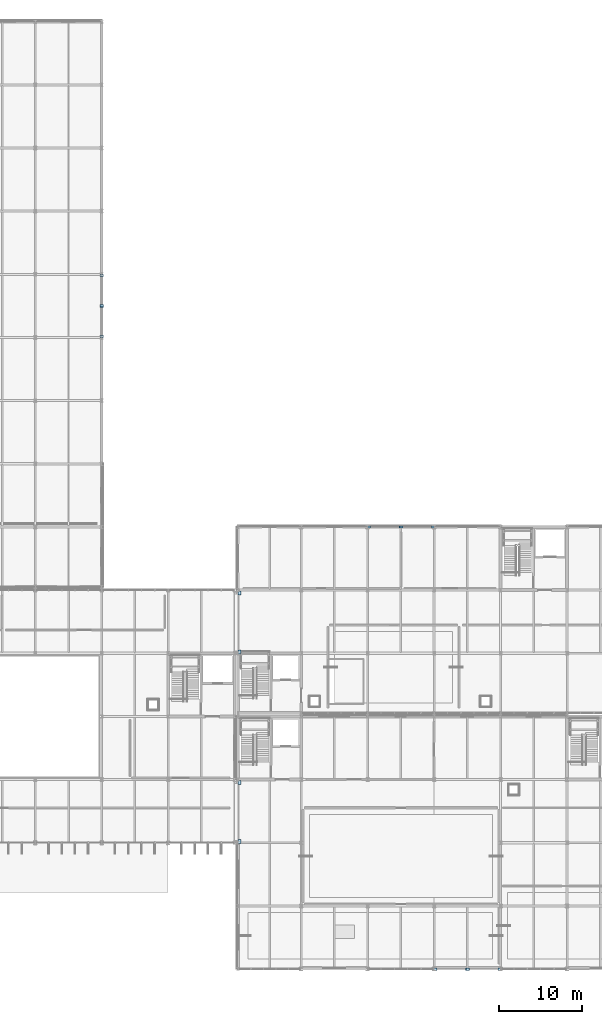
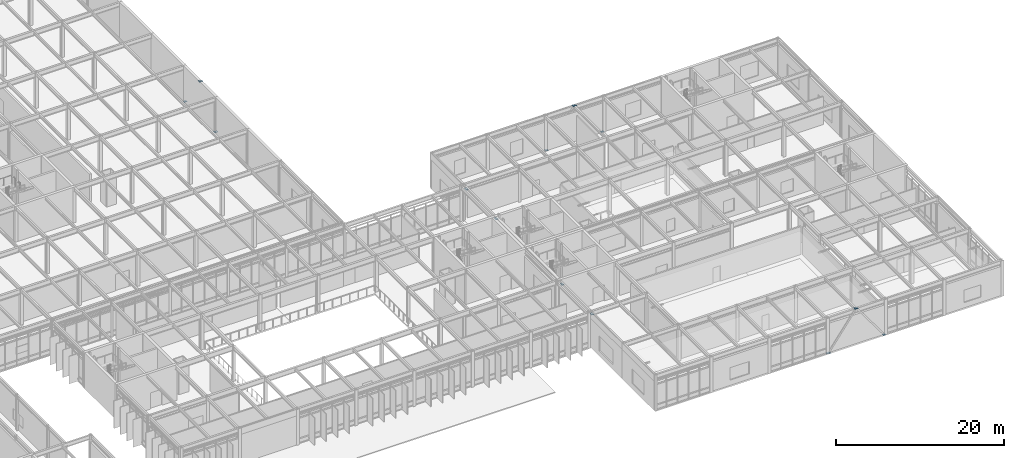
# One storey, part 69 of 94: 16 plates.
"""IFC4 building model written with IfcOpenShell, lengths in metres."""

from ifc_helpers import new_model, si_unit, direction, frame, origin, origin_2d, place, context, subcontext, project, spatial, rectangle, extrude, material, layer, layer_set, type_object, element, save


model = new_model("IFC4")

# Units and contexts
model_context = context("Model", 3, precision=1e-05, world=origin(), true_north=direction((0.0, 1.0)))
body_context = subcontext(model_context, "Body", "Model", "MODEL_VIEW")
ifc_project = project(units=[si_unit("LENGTHUNIT", "METRE"), si_unit("AREAUNIT", "SQUARE_METRE"), si_unit("VOLUMEUNIT", "CUBIC_METRE"), si_unit("PLANEANGLEUNIT", "RADIAN"), si_unit("MASSUNIT", "GRAM", prefix="KILO")], contexts=[model_context])

# Site, building, storey
site_placement = place(None, origin())
site = spatial("IfcSite", under=ifc_project, at=site_placement, CompositionType="ELEMENT")
building_placement = place(site_placement, origin())
building = spatial("IfcBuilding", under=site, at=building_placement, Name="Zulena Civic Courthouse", CompositionType="ELEMENT")
storey_placement = place(building_placement, frame((0.0, 0.0, 5.39990234375)))
storey = spatial("IfcBuildingStorey", under=building, at=storey_placement, Name="L01", CompositionType="ELEMENT", Elevation=5.39990234375)

# Plates
ifc_material = material(Name="Steel ASTM A572 Grade 50", Category="steel")
ifc_layer_1 = layer(ifc_material, 0.028076171875)
ifc_layer_set_1 = layer_set([ifc_layer_1], Name="Steel ASTM A572 Grade 50")
plate_type_1 = type_object("IfcPlateType", Name="BearingPlate_450x320x28", PredefinedType="SHEET", material=ifc_layer_set_1)
for number, where, z_axis, x_axis, name in (
    (1, (124.580078125, 15.35009765625, 4.6201171875), (0.0, 0.0, 1.0), (1.0, 0.0, 0.0), "plate:ptfe:BR-41:L02:15.35"),
    (2, (124.580078125, 22.449951171875, 4.6201171875), (0.0, 0.0, 1.0), (1.0, 0.0, 0.0), "plate:ptfe:BR-41:L02:22.45"),
    (3, (124.580078125, 38.14990234375, 4.6201171875), (0.0, 0.0, 1.0), (1.0, 0.0, 0.0), "plate:ptfe:BR-43:L02:38.15"),
    (4, (124.580078125, 45.25, 4.6201171875), (0.0, 0.0, 1.0), (1.0, 0.0, 0.0), "plate:ptfe:BR-43:L02:45.25"),
):
    element("IfcPlate", number, at=place(storey_placement, frame(where, z_axis=z_axis, x_axis=x_axis)), inside=storey, type_object=plate_type_1, Name=name, PredefinedType="SHEET", context=body_context, shape_type="SweptSolid", body=[
        extrude(rectangle(XDim=0.320068359375, YDim=0.449951171875, at=origin_2d()), origin(), (0.0, 0.0, 1.0), 0.028076171875),
    ])
ifc_layer_2 = layer(ifc_material, 0.02197265625)
ifc_layer_set_2 = layer_set([ifc_layer_2], Name="Steel ASTM A572 Grade 50")
plate_type_2 = type_object("IfcPlateType", Name="GussetPlate_380x280x22", PredefinedType="SHEET", material=ifc_layer_set_2)
for number, where, z_axis, x_axis, name in (
    (5, (148.14990234375, 0.0, -0.0009765625), (0.0, 0.0, 1.0), (1.0, 0.0, 0.0), "plate:br:V1:L01:2:0:0"),
    (6, (151.949951171875, 0.0, 5.149169921875), (0.0, 0.0, 1.0), (1.0, 0.0, 0.0), "plate:br:V1:L01:2:0:1"),
    (7, (155.85009765625, 0.0, -0.0009765625), (0.0, 0.0, 1.0), (1.0, 0.0, 0.0), "plate:br:V1:L01:2:1:0"),
    (8, (152.050048828125, 0.0, 5.149169921875), (0.0, 0.0, 1.0), (1.0, 0.0, 0.0), "plate:br:V1:L01:2:1:1"),
    (9, (140.14990234375, 53.199951171875, -0.0009765625), (0.0, 0.0, 1.0), (1.0, 0.0, 0.0), "plate:br:V3:L01:3:0:0"),
    (10, (143.949951171875, 53.199951171875, 5.149169921875), (0.0, 0.0, 1.0), (1.0, 0.0, 0.0), "plate:br:V3:L01:3:0:1"),
    (11, (147.85009765625, 53.199951171875, -0.0009765625), (0.0, 0.0, 1.0), (1.0, 0.0, 0.0), "plate:br:V3:L01:3:1:0"),
    (12, (144.050048828125, 53.199951171875, 5.149169921875), (0.0, 0.0, 1.0), (1.0, 0.0, 0.0), "plate:br:V3:L01:3:1:1"),
    (13, (108.0, 76.14990234375, -0.0009765625), (0.0, 0.0, 1.0), (1.0, 0.0, 0.0), "plate:br:V5:L01:6:0:0"),
    (14, (108.0, 79.75, 5.149169921875), (0.0, 0.0, 1.0), (1.0, 0.0, 0.0), "plate:br:V5:L01:6:0:1"),
    (15, (108.0, 83.449951171875, -0.0009765625), (0.0, 0.0, 1.0), (1.0, 0.0, 0.0), "plate:br:V5:L01:6:1:0"),
    (16, (108.0, 79.85009765625, 5.149169921875), (0.0, 0.0, 1.0), (1.0, 0.0, 0.0), "plate:br:V5:L01:6:1:1"),
):
    element("IfcPlate", number, at=place(storey_placement, frame(where, z_axis=z_axis, x_axis=x_axis)), inside=storey, type_object=plate_type_2, Name=name, PredefinedType="SHEET", context=body_context, shape_type="SweptSolid", body=[
        extrude(rectangle(XDim=0.3798828125, YDim=0.280029296875, at=origin_2d()), origin(), (0.0, 0.0, 1.0), 0.02197265625),
    ])

save(model, "model.ifc")
